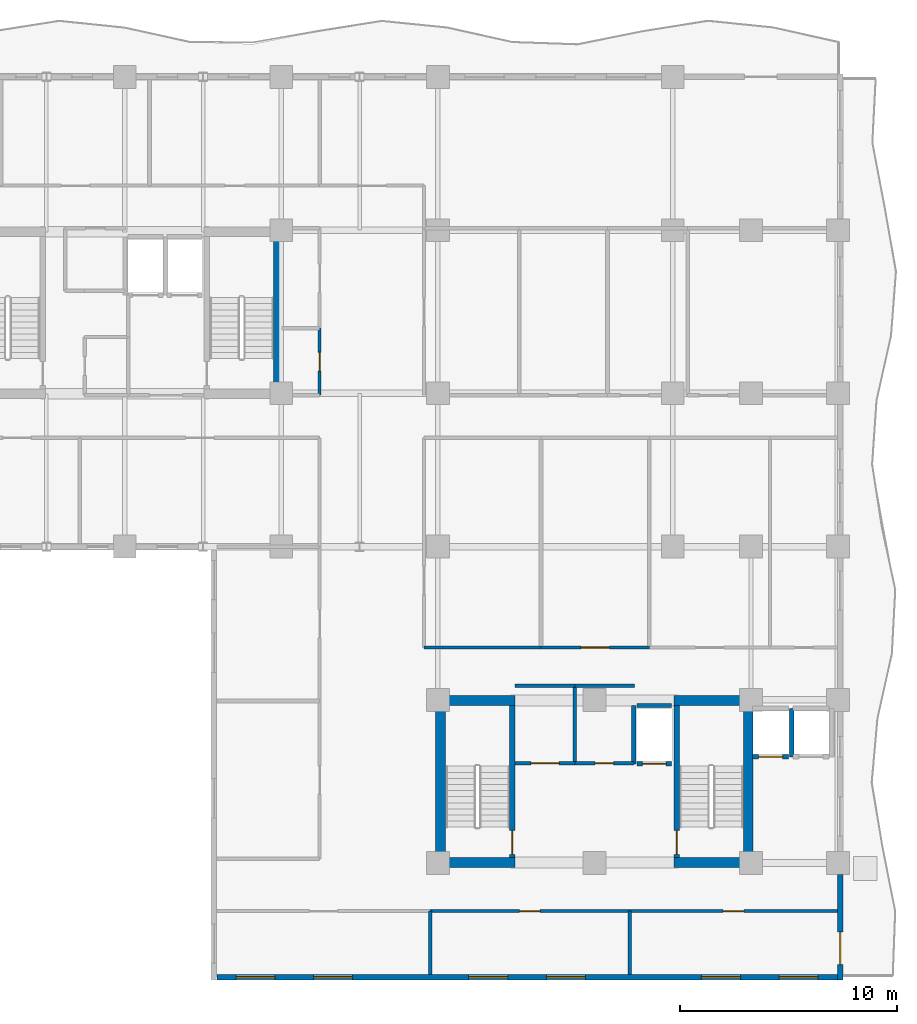
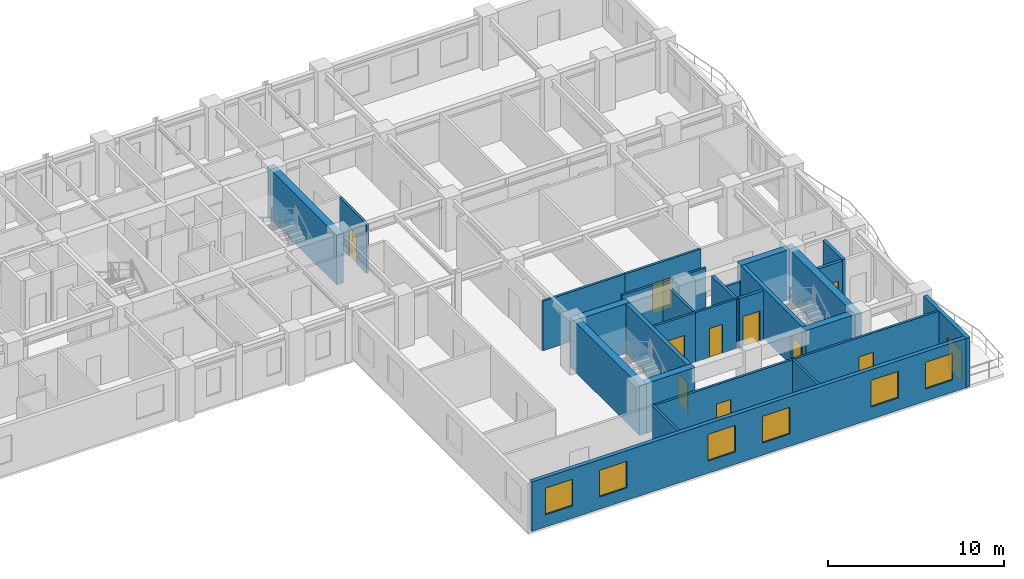
# One storey, part 12 of 20: 28 walls, 11 doors, 6 windows, 17 openings.
"""IFC4 building model written with IfcOpenShell, lengths in metres."""

from ifc_helpers import new_model, si_unit, direction, frame, frame_2d, origin, place, context, subcontext, project, spatial, rectangle, extrude, material, layer, layer_set, type_object, element, fill, save


model = new_model("IFC4")

# Units and contexts
model_context = context("Model", 3, precision=1e-05, world=origin(), true_north=direction((0.0, 1.0)))
body_context = subcontext(model_context, "Body", "Model", "MODEL_VIEW")
ifc_project = project(units=[si_unit("LENGTHUNIT", "METRE"), si_unit("AREAUNIT", "SQUARE_METRE"), si_unit("VOLUMEUNIT", "CUBIC_METRE"), si_unit("PLANEANGLEUNIT", "RADIAN"), si_unit("MASSUNIT", "GRAM", prefix="KILO")], contexts=[model_context])

# Site, building, storey
site_placement = place(None, origin())
site = spatial("IfcSite", under=ifc_project, at=site_placement, CompositionType="ELEMENT")
building_placement = place(site_placement, origin())
building = spatial("IfcBuilding", under=site, at=building_placement, Name="Kaliganga Portal Commons", CompositionType="ELEMENT")
storey_placement = place(building_placement, frame((0.0, 0.0, 155.0)))
storey = spatial("IfcBuildingStorey", under=building, at=storey_placement, Name="L39", CompositionType="ELEMENT", Elevation=155.0)

# Walls
ifc_material_1 = material(Name="Concrete C60/75", Category="concrete")
ifc_layer_1 = layer(ifc_material_1, 0.449951171875)
ifc_layer_set_1 = layer_set([ifc_layer_1], Name="Concrete C60/75")
wall_type_1 = type_object("IfcWallType", Name="WL-CORE-450", PredefinedType="SHEAR", material=ifc_layer_set_1)
wall_1_placement = place(storey_placement, frame((28.675048828125, 28.39990234375, 0.0), z_axis=(0.0, 0.0, 1.0), x_axis=(0.0, 1.0, 0.0)))
element("IfcWall", 1, at=wall_1_placement, inside=storey, type_object=wall_type_1, Name="Core A East Shear Wall L39", PredefinedType="SHEAR", context=body_context, shape_type="SweptSolid", body=[
    extrude(rectangle(XDim=7.900146484375, YDim=0.449951171875, at=frame_2d((3.9501953125, 0.0))), origin(), (0.0, 0.0, 1.0), 3.4599609375),
])
for number, where, z_axis, x_axis, name in (
    (2, (36.125, 6.85009765625, 0.0), (0.0, 0.0, 1.0), (0.0, 1.0, 0.0), "Core B West Shear Wall L39"),
    (3, (50.27490234375, 6.85009765625, 0.0), (0.0, 0.0, 1.0), (0.0, 1.0, 0.0), "Core B East Shear Wall L39"),
):
    element("IfcWall", number, at=place(storey_placement, frame(where, z_axis=z_axis, x_axis=x_axis)), inside=storey, type_object=wall_type_1, Name=name, PredefinedType="SHEAR", context=body_context, shape_type="SweptSolid", body=[
        extrude(rectangle(XDim=7.89990234375, YDim=0.449951171875, at=frame_2d((3.949951171875, 0.0))), origin(), (0.0, 0.0, 1.0), 3.4599609375),
    ])
for number, where, z_axis, x_axis, name in (
    (4, (36.35009765625, 7.074951171875, 0.0), (0.0, 0.0, 1.0), (1.0, 0.0, 0.0), "Core B S-West Shear Wall L39"),
    (5, (46.85009765625, 7.074951171875, 0.0), (0.0, 0.0, 1.0), (1.0, 0.0, 0.0), "Core B S-East Shear Wall L39"),
    (6, (36.35009765625, 14.52490234375, 0.0), (0.0, 0.0, 1.0), (1.0, 0.0, 0.0), "Core B N-West Shear Wall L39"),
    (7, (46.85009765625, 14.52490234375, 0.0), (0.0, 0.0, 1.0), (1.0, 0.0, 0.0), "Core B N-East Shear Wall L39"),
):
    element("IfcWall", number, at=place(storey_placement, frame(where, z_axis=z_axis, x_axis=x_axis)), inside=storey, type_object=wall_type_1, Name=name, PredefinedType="SHEAR", context=body_context, shape_type="SweptSolid", body=[
        extrude(rectangle(XDim=3.199951171875, YDim=0.449951171875, at=frame_2d((1.60009765625, 0.0))), origin(), (0.0, 0.0, 1.0), 3.4599609375),
    ])

# Wall, openings, windows
ifc_material_2 = material(Name="Insulated Aluminium-Clad Spandrel Assembly", Category="aluminium")
ifc_layer_2 = layer(ifc_material_2, 0.260009765625)
ifc_layer_set_2 = layer_set([ifc_layer_2], Name="Insulated Aluminium-Clad Spandrel Assembly")
wall_type_2 = type_object("IfcWallType", Name="WL-EXT-SPAND-260", PredefinedType="STANDARD", material=ifc_layer_set_2)
wall_2_placement = place(storey_placement, frame((54.364990234375, 1.800048828125, 0.0), z_axis=(0.0, 0.0, 1.0), x_axis=(-1.0, 0.0, 0.0)))
wall_2 = element("IfcWall", 8, at=wall_2_placement, inside=storey, type_object=wall_type_2, Name="Exterior Envelope Wall L39 P1-E00-S1", PredefinedType="STANDARD", context=body_context, shape_type="SweptSolid", body=[
    extrude(rectangle(XDim=28.530029296875, YDim=0.260009765625, at=frame_2d((14.26513671875, 0.0))), origin(), (0.0, 0.0, 1.0), 3.43994140625),
])
opening_1_placement = place(wall_2_placement, frame((0.883056640625, 0.0, 0.85009765625)))
opening_1 = element("IfcOpeningElement", 9, at=opening_1_placement, cuts=wall_2, Name="Opening W-01", PredefinedType="OPENING", context=body_context, shape_type="SweptSolid", body=[
    extrude(rectangle(XDim=1.800048828125, YDim=1.85009765625, at=frame_2d((0.89990234375, 0.925048828125))), frame((0.0, 0.14013671875, 0.0), z_axis=(0.0, -1.0, 0.0), x_axis=(1.0, 0.0, 0.0)), (0.0, 0.0, 1.0), 0.280029296875),
])
opening_2_placement = place(wall_2_placement, frame((4.449462890625, 0.0, 0.85009765625)))
opening_2 = element("IfcOpeningElement", 10, at=opening_2_placement, cuts=wall_2, Name="Opening W-01", PredefinedType="OPENING", context=body_context, shape_type="SweptSolid", body=[
    extrude(rectangle(XDim=1.800048828125, YDim=1.85009765625, at=frame_2d((0.89990234375, 0.925048828125))), frame((0.0, 0.14013671875, 0.0), z_axis=(0.0, -1.0, 0.0), x_axis=(1.0, 0.0, 0.0)), (0.0, 0.0, 1.0), 0.280029296875),
])
opening_3_placement = place(wall_2_placement, frame((11.581787109375, 0.0, 0.85009765625)))
opening_3 = element("IfcOpeningElement", 11, at=opening_3_placement, cuts=wall_2, Name="Opening W-01", PredefinedType="OPENING", context=body_context, shape_type="SweptSolid", body=[
    extrude(rectangle(XDim=1.800048828125, YDim=1.85009765625, at=frame_2d((0.89990234375, 0.925048828125))), frame((0.0, 0.14013671875, 0.0), z_axis=(0.0, -1.0, 0.0), x_axis=(1.0, 0.0, 0.0)), (0.0, 0.0, 1.0), 0.280029296875),
])
opening_4_placement = place(wall_2_placement, frame((15.148193359375, 0.0, 0.85009765625)))
opening_4 = element("IfcOpeningElement", 12, at=opening_4_placement, cuts=wall_2, Name="Opening W-01", PredefinedType="OPENING", context=body_context, shape_type="SweptSolid", body=[
    extrude(rectangle(XDim=1.800048828125, YDim=1.85009765625, at=frame_2d((0.89990234375, 0.925048828125))), frame((0.0, 0.14013671875, 0.0), z_axis=(0.0, -1.0, 0.0), x_axis=(1.0, 0.0, 0.0)), (0.0, 0.0, 1.0), 0.280029296875),
])
opening_5_placement = place(wall_2_placement, frame((22.280517578125, 0.0, 0.85009765625)))
opening_5 = element("IfcOpeningElement", 13, at=opening_5_placement, cuts=wall_2, Name="Opening W-01", PredefinedType="OPENING", context=body_context, shape_type="SweptSolid", body=[
    extrude(rectangle(XDim=1.800048828125, YDim=1.85009765625, at=frame_2d((0.89990234375, 0.925048828125))), frame((0.0, 0.14013671875, 0.0), z_axis=(0.0, -1.0, 0.0), x_axis=(1.0, 0.0, 0.0)), (0.0, 0.0, 1.0), 0.280029296875),
])
opening_6_placement = place(wall_2_placement, frame((25.846923828125, 0.0, 0.85009765625)))
opening_6 = element("IfcOpeningElement", 14, at=opening_6_placement, cuts=wall_2, Name="Opening W-01", PredefinedType="OPENING", context=body_context, shape_type="SweptSolid", body=[
    extrude(rectangle(XDim=1.800048828125, YDim=1.85009765625, at=frame_2d((0.89990234375, 0.925048828125))), frame((0.0, 0.14013671875, 0.0), z_axis=(0.0, -1.0, 0.0), x_axis=(1.0, 0.0, 0.0)), (0.0, 0.0, 1.0), 0.280029296875),
])
ifc_material_3 = material(Name="Thermally Broken Aluminium and Low-E Double Glazing", Category="aluminium")
window_type = type_object("IfcWindowType", Name="WIN-STD-1800", PartitioningType="DOUBLE_PANEL_VERTICAL", PredefinedType="WINDOW", material=ifc_material_3)
window_1_placement = place(opening_1_placement, origin())
window_1 = element("IfcWindow", 15, at=window_1_placement, inside=storey, type_object=window_type, Name="Facade Window L39-P1E00S1-00", OverallHeight=1.85009765625, OverallWidth=1.800048828125, PartitioningType="SINGLE_PANEL", PredefinedType="WINDOW", context=body_context, shape_type="SweptSolid", body=[
    extrude(rectangle(XDim=1.800048828125, YDim=1.85009765625, at=frame_2d((0.89990234375, 0.925048828125))), frame((0.0, 0.030029296875, 0.0), z_axis=(0.0, -1.0, 0.0), x_axis=(1.0, 0.0, 0.0)), (0.0, 0.0, 1.0), 0.06005859375),
])
fill(opening_1, window_1)
window_2_placement = place(opening_2_placement, origin())
window_2 = element("IfcWindow", 16, at=window_2_placement, inside=storey, type_object=window_type, Name="Facade Window L39-P1E00S1-01", OverallHeight=1.85009765625, OverallWidth=1.800048828125, PartitioningType="SINGLE_PANEL", PredefinedType="WINDOW", context=body_context, shape_type="SweptSolid", body=[
    extrude(rectangle(XDim=1.800048828125, YDim=1.85009765625, at=frame_2d((0.89990234375, 0.925048828125))), frame((0.0, 0.030029296875, 0.0), z_axis=(0.0, -1.0, 0.0), x_axis=(1.0, 0.0, 0.0)), (0.0, 0.0, 1.0), 0.06005859375),
])
fill(opening_2, window_2)
window_3_placement = place(opening_3_placement, origin())
window_3 = element("IfcWindow", 17, at=window_3_placement, inside=storey, type_object=window_type, Name="Facade Window L39-P1E00S1-03", OverallHeight=1.85009765625, OverallWidth=1.800048828125, PartitioningType="SINGLE_PANEL", PredefinedType="WINDOW", context=body_context, shape_type="SweptSolid", body=[
    extrude(rectangle(XDim=1.800048828125, YDim=1.85009765625, at=frame_2d((0.89990234375, 0.925048828125))), frame((0.0, 0.030029296875, 0.0), z_axis=(0.0, -1.0, 0.0), x_axis=(1.0, 0.0, 0.0)), (0.0, 0.0, 1.0), 0.06005859375),
])
fill(opening_3, window_3)
window_4_placement = place(opening_4_placement, origin())
window_4 = element("IfcWindow", 18, at=window_4_placement, inside=storey, type_object=window_type, Name="Facade Window L39-P1E00S1-04", OverallHeight=1.85009765625, OverallWidth=1.800048828125, PartitioningType="SINGLE_PANEL", PredefinedType="WINDOW", context=body_context, shape_type="SweptSolid", body=[
    extrude(rectangle(XDim=1.800048828125, YDim=1.85009765625, at=frame_2d((0.89990234375, 0.925048828125))), frame((0.0, 0.030029296875, 0.0), z_axis=(0.0, -1.0, 0.0), x_axis=(1.0, 0.0, 0.0)), (0.0, 0.0, 1.0), 0.06005859375),
])
fill(opening_4, window_4)
window_5_placement = place(opening_5_placement, origin())
window_5 = element("IfcWindow", 19, at=window_5_placement, inside=storey, type_object=window_type, Name="Facade Window L39-P1E00S1-06", OverallHeight=1.85009765625, OverallWidth=1.800048828125, PartitioningType="SINGLE_PANEL", PredefinedType="WINDOW", context=body_context, shape_type="SweptSolid", body=[
    extrude(rectangle(XDim=1.800048828125, YDim=1.85009765625, at=frame_2d((0.89990234375, 0.925048828125))), frame((0.0, 0.030029296875, 0.0), z_axis=(0.0, -1.0, 0.0), x_axis=(1.0, 0.0, 0.0)), (0.0, 0.0, 1.0), 0.06005859375),
])
fill(opening_5, window_5)
window_6_placement = place(opening_6_placement, origin())
window_6 = element("IfcWindow", 20, at=window_6_placement, inside=storey, type_object=window_type, Name="Facade Window L39-P1E00S1-07", OverallHeight=1.85009765625, OverallWidth=1.800048828125, PartitioningType="SINGLE_PANEL", PredefinedType="WINDOW", context=body_context, shape_type="SweptSolid", body=[
    extrude(rectangle(XDim=1.800048828125, YDim=1.85009765625, at=frame_2d((0.89990234375, 0.925048828125))), frame((0.0, 0.030029296875, 0.0), z_axis=(0.0, -1.0, 0.0), x_axis=(1.0, 0.0, 0.0)), (0.0, 0.0, 1.0), 0.06005859375),
])
fill(opening_6, window_6)

# Wall, opening, door
wall_3_placement = place(storey_placement, frame((54.5, 6.52392578125, 0.0), z_axis=(0.0, 0.0, 1.0), x_axis=(0.0, -1.0, 0.0)))
wall_3 = element("IfcWall", 21, at=wall_3_placement, inside=storey, type_object=wall_type_2, Name="Exterior Envelope Wall L39 P1-E01-S1", PredefinedType="STANDARD", context=body_context, shape_type="SweptSolid", body=[
    extrude(rectangle(XDim=4.85400390625, YDim=0.260009765625, at=frame_2d((2.427001953125, 0.0))), origin(), (0.0, 0.0, 1.0), 3.43994140625),
])
opening_7_placement = place(wall_3_placement, frame((2.64794921875, 0.0, 0.0)))
opening_7 = element("IfcOpeningElement", 22, at=opening_7_placement, cuts=wall_3, Name="Opening BD-01", PredefinedType="OPENING", context=body_context, shape_type="SweptSolid", body=[
    extrude(rectangle(XDim=1.5, YDim=2.14990234375, at=frame_2d((0.75, 1.074951171875))), frame((0.0, 0.14013671875, 0.0), z_axis=(0.0, -1.0, 0.0), x_axis=(1.0, 0.0, 0.0)), (0.0, 0.0, 1.0), 0.280029296875),
])
ifc_material_4 = material(Name="Anodized Aluminium and Laminated Safety Glass", Category="aluminium")
door_type_1 = type_object("IfcDoorType", Name="DR-BALC-1500", OperationType="SLIDING_TO_LEFT", PredefinedType="DOOR", material=ifc_material_4)
door_1_placement = place(opening_7_placement, origin())
door_1 = element("IfcDoor", 23, at=door_1_placement, inside=storey, type_object=door_type_1, Name="Balcony Sliding Door L39 balc_east", OperationType="SLIDING_TO_LEFT", OverallHeight=2.14990234375, OverallWidth=1.5, PredefinedType="DOOR", context=body_context, shape_type="SweptSolid", body=[
    extrude(rectangle(XDim=1.5, YDim=2.14990234375, at=frame_2d((0.75, 1.074951171875))), frame((0.0, 0.02490234375, 0.0), z_axis=(0.0, -1.0, 0.0), x_axis=(1.0, 0.0, 0.0)), (0.0, 0.0, 1.0), 0.050048828125),
])
fill(opening_7, door_1)

ifc_material_5 = material(Name="Fire-Rated Gypsum Board on Steel Stud", Category="steel")
ifc_layer_3 = layer(ifc_material_5, 0.14990234375)
ifc_layer_set_3 = layer_set([ifc_layer_3], Name="Fire-Rated Gypsum Board on Steel Stud")
wall_type_3 = type_object("IfcWallType", Name="WL-PART-CORR-150", PredefinedType="PARTITIONING", material=ifc_layer_set_3)
wall_4_placement = place(storey_placement, frame((44.820068359375, 4.840087890625, 0.0), z_axis=(0.0, 0.0, 1.0), x_axis=(1.0, 0.0, 0.0)))
wall_4 = element("IfcWall", 24, at=wall_4_placement, inside=storey, type_object=wall_type_3, Name="Interior Partition L39-014", PredefinedType="PARTITIONING", context=body_context, shape_type="SweptSolid", body=[
    extrude(rectangle(XDim=9.5478515625, YDim=0.14990234375, at=frame_2d((4.77392578125, 0.0))), origin(), (0.0, 0.0, 1.0), 3.43994140625),
])
opening_8_placement = place(wall_4_placement, frame((4.299072265625, 0.0, 0.0)))
opening_8 = element("IfcOpeningElement", 25, at=opening_8_placement, cuts=wall_4, Name="Opening UD-01", PredefinedType="OPENING", context=body_context, shape_type="SweptSolid", body=[
    extrude(rectangle(XDim=0.949951171875, YDim=2.10009765625, at=frame_2d((0.47509765625, 1.050048828125))), frame((0.0, 0.0849609375, 0.0), z_axis=(0.0, -1.0, 0.0), x_axis=(1.0, 0.0, 0.0)), (0.0, 0.0, 1.0), 0.169921875),
])
ifc_material_6 = material(Name="Solid-Core Timber Acoustic Fire Door", Category="wood")
door_type_2 = type_object("IfcDoorType", Name="DR-UNIT-950", OperationType="NOTDEFINED", PredefinedType="DOOR", material=ifc_material_6)
door_2_placement = place(opening_8_placement, origin())
door_2 = element("IfcDoor", 26, at=door_2_placement, inside=storey, type_object=door_type_2, Name="Interior Door L39-BS03", OperationType="SINGLE_SWING_RIGHT", OverallHeight=2.10009765625, OverallWidth=0.949951171875, PredefinedType="DOOR", context=body_context, shape_type="SweptSolid", body=[
    extrude(rectangle(XDim=0.949951171875, YDim=2.10009765625, at=frame_2d((0.47509765625, 1.050048828125))), frame((0.0, 0.02490234375, 0.0), z_axis=(0.0, -1.0, 0.0), x_axis=(1.0, 0.0, 0.0)), (0.0, 0.0, 1.0), 0.050048828125),
])
fill(opening_8, door_2)

wall_5_placement = place(storey_placement, frame((35.639892578125, 4.840087890625, 0.0), z_axis=(0.0, 0.0, 1.0), x_axis=(1.0, 0.0, 0.0)))
wall_5 = element("IfcWall", 27, at=wall_5_placement, inside=storey, type_object=wall_type_3, Name="Interior Partition L39-016", PredefinedType="PARTITIONING", context=body_context, shape_type="SweptSolid", body=[
    extrude(rectangle(XDim=9.18017578125, YDim=0.14990234375, at=frame_2d((4.590087890625, 0.0))), origin(), (0.0, 0.0, 1.0), 3.43994140625),
])
opening_9_placement = place(wall_5_placement, frame((4.114990234375, 0.0, 0.0)))
opening_9 = element("IfcOpeningElement", 28, at=opening_9_placement, cuts=wall_5, Name="Opening UD-01", PredefinedType="OPENING", context=body_context, shape_type="SweptSolid", body=[
    extrude(rectangle(XDim=0.949951171875, YDim=2.10009765625, at=frame_2d((0.47509765625, 1.050048828125))), frame((0.0, 0.0849609375, 0.0), z_axis=(0.0, -1.0, 0.0), x_axis=(1.0, 0.0, 0.0)), (0.0, 0.0, 1.0), 0.169921875),
])
door_3_placement = place(opening_9_placement, origin())
door_3 = element("IfcDoor", 29, at=door_3_placement, inside=storey, type_object=door_type_2, Name="Interior Door L39-BS02", OperationType="SINGLE_SWING_RIGHT", OverallHeight=2.10009765625, OverallWidth=0.949951171875, PredefinedType="DOOR", context=body_context, shape_type="SweptSolid", body=[
    extrude(rectangle(XDim=0.949951171875, YDim=2.10009765625, at=frame_2d((0.47509765625, 1.050048828125))), frame((0.0, 0.02490234375, 0.0), z_axis=(0.0, -1.0, 0.0), x_axis=(1.0, 0.0, 0.0)), (0.0, 0.0, 1.0), 0.050048828125),
])
fill(opening_9, door_3)

# Wall
wall_6_placement = place(storey_placement, frame((35.360107421875, 16.9599609375, 0.0), z_axis=(0.0, 0.0, 1.0), x_axis=(1.0, 0.0, 0.0)))
element("IfcWall", 30, at=wall_6_placement, inside=storey, type_object=wall_type_3, Name="Interior Partition L39-033", PredefinedType="PARTITIONING", context=body_context, shape_type="SweptSolid", body=[
    extrude(rectangle(XDim=5.3798828125, YDim=0.14990234375, at=frame_2d((2.68994140625, 0.0))), origin(), (0.0, 0.0, 1.0), 3.43994140625),
])

# Wall, opening, door
wall_7_placement = place(storey_placement, frame((40.739990234375, 16.9599609375, 0.0), z_axis=(0.0, 0.0, 1.0), x_axis=(1.0, 0.0, 0.0)))
wall_7 = element("IfcWall", 31, at=wall_7_placement, inside=storey, type_object=wall_type_3, Name="Interior Partition L39-036", PredefinedType="PARTITIONING", context=body_context, shape_type="SweptSolid", body=[
    extrude(rectangle(XDim=4.97998046875, YDim=0.14990234375, at=frame_2d((2.489990234375, 0.0))), origin(), (0.0, 0.0, 1.0), 3.43994140625),
])
opening_10_placement = place(wall_7_placement, frame((1.840087890625, 0.0, 0.0)))
opening_10 = element("IfcOpeningElement", 32, at=opening_10_placement, cuts=wall_7, Name="Opening RD-03", PredefinedType="OPENING", context=body_context, shape_type="SweptSolid", body=[
    extrude(rectangle(XDim=1.300048828125, YDim=2.1201171875, at=frame_2d((0.64990234375, 1.06005859375))), frame((0.0, 0.0849609375, 0.0), z_axis=(0.0, -1.0, 0.0), x_axis=(1.0, 0.0, 0.0)), (0.0, 0.0, 1.0), 0.169921875),
])
ifc_material_7 = material(Name="Glazed Timber Seminar Vision Door", Category="wood")
door_type_3 = type_object("IfcDoorType", Name="DR-STUDY-1300", OperationType="DOUBLE_DOOR_SINGLE_SWING", PredefinedType="DOOR", material=ifc_material_7)
door_4_placement = place(opening_10_placement, origin())
door_4 = element("IfcDoor", 33, at=door_4_placement, inside=storey, type_object=door_type_3, Name="Interior Door L39-BM02", OperationType="DOUBLE_DOOR_SINGLE_SWING", OverallHeight=2.1201171875, OverallWidth=1.300048828125, PredefinedType="DOOR", context=body_context, shape_type="SweptSolid", body=[
    extrude(rectangle(XDim=1.300048828125, YDim=2.1201171875, at=frame_2d((0.64990234375, 1.06005859375))), frame((0.0, 0.02490234375, 0.0), z_axis=(0.0, -1.0, 0.0), x_axis=(1.0, 0.0, 0.0)), (0.0, 0.0, 1.0), 0.050048828125),
])
fill(opening_10, door_4)

wall_8_placement = place(storey_placement, frame((30.56005859375, 28.56005859375, 0.0), z_axis=(0.0, 0.0, 1.0), x_axis=(0.0, 1.0, 0.0)))
wall_8 = element("IfcWall", 34, at=wall_8_placement, inside=storey, type_object=wall_type_3, Name="Interior Partition L39-051", PredefinedType="PARTITIONING", context=body_context, shape_type="SweptSolid", body=[
    extrude(rectangle(XDim=3.079833984375, YDim=0.14990234375, at=frame_2d((1.5400390625, 0.0))), origin(), (0.0, 0.0, 1.0), 3.43994140625),
])
opening_11_placement = place(wall_8_placement, frame((1.110107421875, 0.0, 0.0)))
opening_11 = element("IfcOpeningElement", 35, at=opening_11_placement, cuts=wall_8, Name="Opening WD-02", PredefinedType="OPENING", context=body_context, shape_type="SweptSolid", body=[
    extrude(rectangle(XDim=0.860107421875, YDim=2.02001953125, at=frame_2d((0.43017578125, 1.010009765625))), frame((0.0, 0.0849609375, 0.0), z_axis=(0.0, -1.0, 0.0), x_axis=(1.0, 0.0, 0.0)), (0.0, 0.0, 1.0), 0.169921875),
])
ifc_material_8 = material(Name="Fire-Rated Utility Closet Door", Category="wood")
door_type_4 = type_object("IfcDoorType", Name="DR-STORE-800", OperationType="NOTDEFINED", PredefinedType="DOOR", material=ifc_material_8)
door_5_placement = place(opening_11_placement, origin())
door_5 = element("IfcDoor", 36, at=door_5_placement, inside=storey, type_object=door_type_4, Name="Interior Door L39-CSRV_A1", OperationType="SINGLE_SWING_RIGHT", OverallHeight=2.02001953125, OverallWidth=0.860107421875, PredefinedType="DOOR", context=body_context, shape_type="SweptSolid", body=[
    extrude(rectangle(XDim=0.860107421875, YDim=2.02001953125, at=frame_2d((0.43017578125, 1.010009765625))), frame((0.0, 0.02490234375, 0.0), z_axis=(0.0, -1.0, 0.0), x_axis=(1.0, 0.0, 0.0)), (0.0, 0.0, 1.0), 0.050048828125),
])
fill(opening_11, door_5)

wall_9_placement = place(storey_placement, frame((39.5400390625, 11.639892578125, 0.0), z_axis=(0.0, 0.0, 1.0), x_axis=(1.0, 0.0, 0.0)))
wall_9 = element("IfcWall", 37, at=wall_9_placement, inside=storey, type_object=wall_type_3, Name="Interior Partition L39-054", PredefinedType="PARTITIONING", context=body_context, shape_type="SweptSolid", body=[
    extrude(rectangle(XDim=2.760009765625, YDim=0.14990234375, at=frame_2d((1.3798828125, 0.0))), origin(), (0.0, 0.0, 1.0), 3.43994140625),
])
opening_12_placement = place(wall_9_placement, frame((0.72998046875, 0.0, 0.0)))
opening_12 = element("IfcOpeningElement", 38, at=opening_12_placement, cuts=wall_9, Name="Opening RD-03", PredefinedType="OPENING", context=body_context, shape_type="SweptSolid", body=[
    extrude(rectangle(XDim=1.300048828125, YDim=2.1201171875, at=frame_2d((0.64990234375, 1.06005859375))), frame((0.0, 0.0849609375, 0.0), z_axis=(0.0, -1.0, 0.0), x_axis=(1.0, 0.0, 0.0)), (0.0, 0.0, 1.0), 0.169921875),
])
door_6_placement = place(opening_12_placement, origin())
door_6 = element("IfcDoor", 39, at=door_6_placement, inside=storey, type_object=door_type_3, Name="Interior Door L39-CREC_B1", OperationType="DOUBLE_DOOR_SINGLE_SWING", OverallHeight=2.1201171875, OverallWidth=1.300048828125, PredefinedType="DOOR", context=body_context, shape_type="SweptSolid", body=[
    extrude(rectangle(XDim=1.300048828125, YDim=2.1201171875, at=frame_2d((0.64990234375, 1.06005859375))), frame((0.0, 0.02490234375, 0.0), z_axis=(0.0, -1.0, 0.0), x_axis=(1.0, 0.0, 0.0)), (0.0, 0.0, 1.0), 0.050048828125),
])
fill(opening_12, door_6)

# Wall
wall_10_placement = place(storey_placement, frame((39.5400390625, 15.199951171875, 0.0), z_axis=(0.0, 0.0, 1.0), x_axis=(1.0, 0.0, 0.0)))
element("IfcWall", 40, at=wall_10_placement, inside=storey, type_object=wall_type_3, Name="Interior Partition L39-055", PredefinedType="PARTITIONING", context=body_context, shape_type="SweptSolid", body=[
    extrude(rectangle(XDim=2.760009765625, YDim=0.14990234375, at=frame_2d((1.3798828125, 0.0))), origin(), (0.0, 0.0, 1.0), 3.43994140625),
])

# Wall, opening, door
wall_11_placement = place(storey_placement, frame((42.300048828125, 11.639892578125, 0.0), z_axis=(0.0, 0.0, 1.0), x_axis=(1.0, 0.0, 0.0)))
wall_11 = element("IfcWall", 41, at=wall_11_placement, inside=storey, type_object=wall_type_3, Name="Interior Partition L39-056", PredefinedType="PARTITIONING", context=body_context, shape_type="SweptSolid", body=[
    extrude(rectangle(XDim=2.7099609375, YDim=0.14990234375, at=frame_2d((1.35498046875, 0.0))), origin(), (0.0, 0.0, 1.0), 3.43994140625),
])
opening_13_placement = place(wall_11_placement, frame((0.925048828125, 0.0, 0.0)))
opening_13 = element("IfcOpeningElement", 42, at=opening_13_placement, cuts=wall_11, Name="Opening WD-02", PredefinedType="OPENING", context=body_context, shape_type="SweptSolid", body=[
    extrude(rectangle(XDim=0.860107421875, YDim=2.02001953125, at=frame_2d((0.43017578125, 1.010009765625))), frame((0.0, 0.0849609375, 0.0), z_axis=(0.0, -1.0, 0.0), x_axis=(1.0, 0.0, 0.0)), (0.0, 0.0, 1.0), 0.169921875),
])
door_7_placement = place(opening_13_placement, origin())
door_7 = element("IfcDoor", 43, at=door_7_placement, inside=storey, type_object=door_type_4, Name="Interior Door L39-CREC_B2", OperationType="SINGLE_SWING_LEFT", OverallHeight=2.02001953125, OverallWidth=0.860107421875, PredefinedType="DOOR", context=body_context, shape_type="SweptSolid", body=[
    extrude(rectangle(XDim=0.860107421875, YDim=2.02001953125, at=frame_2d((0.43017578125, 1.010009765625))), frame((0.0, 0.02490234375, 0.0), z_axis=(0.0, -1.0, 0.0), x_axis=(1.0, 0.0, 0.0)), (0.0, 0.0, 1.0), 0.050048828125),
])
fill(opening_13, door_7)

# Walls
wall_12_placement = place(storey_placement, frame((42.300048828125, 15.199951171875, 0.0), z_axis=(0.0, 0.0, 1.0), x_axis=(1.0, 0.0, 0.0)))
element("IfcWall", 44, at=wall_12_placement, inside=storey, type_object=wall_type_3, Name="Interior Partition L39-057", PredefinedType="PARTITIONING", context=body_context, shape_type="SweptSolid", body=[
    extrude(rectangle(XDim=2.739990234375, YDim=0.14990234375, at=frame_2d((1.3701171875, 0.0))), origin(), (0.0, 0.0, 1.0), 3.43994140625),
])
ifc_material_9 = material(Name="Twin-Stud Acoustic Gypsum Partition", Category="gypsum")
ifc_layer_4 = layer(ifc_material_9, 0.1650390625)
ifc_layer_set_4 = layer_set([ifc_layer_4], Name="Twin-Stud Acoustic Gypsum Partition")
wall_type_4 = type_object("IfcWallType", Name="WL-PART-UNIT-165", PredefinedType="PARTITIONING", material=ifc_layer_set_4)
wall_13_placement = place(storey_placement, frame((42.300048828125, 11.639892578125, 0.0), z_axis=(0.0, 0.0, 1.0), x_axis=(0.0, 1.0, 0.0)))
element("IfcWall", 45, at=wall_13_placement, inside=storey, type_object=wall_type_4, Name="Interior Partition L39-087", PredefinedType="PARTITIONING", context=body_context, shape_type="SweptSolid", body=[
    extrude(rectangle(XDim=3.56005859375, YDim=0.1650390625, at=frame_2d((1.780029296875, 0.0))), origin(), (0.0, 0.0, 1.0), 3.43994140625),
])
for number, where, z_axis, x_axis, name in (
    (46, (35.639892578125, 1.931884765625, 0.0), (0.0, 0.0, 1.0), (0.0, 1.0, 0.0), "Interior Partition L39-092"),
    (47, (44.820068359375, 1.931884765625, 0.0), (0.0, 0.0, 1.0), (0.0, 1.0, 0.0), "Interior Partition L39-093"),
):
    element("IfcWall", number, at=place(storey_placement, frame(where, z_axis=z_axis, x_axis=x_axis)), inside=storey, type_object=wall_type_4, Name=name, PredefinedType="PARTITIONING", context=body_context, shape_type="SweptSolid", body=[
        extrude(rectangle(XDim=2.908203125, YDim=0.1650390625, at=frame_2d((1.4541015625, 0.0))), origin(), (0.0, 0.0, 1.0), 3.43994140625),
    ])

# Wall, opening, door
ifc_material_10 = material(Name="Fire-Rated Shaftwall Masonry Assembly", Category="masonry")
ifc_layer_5 = layer(ifc_material_10, 0.199951171875)
ifc_layer_set_5 = layer_set([ifc_layer_5], Name="Fire-Rated Shaftwall Masonry Assembly")
wall_type_5 = type_object("IfcWallType", Name="WL-SHAFT-200", PredefinedType="PARTITIONING", material=ifc_layer_set_5)
wall_14_placement = place(storey_placement, frame((50.47509765625, 11.93505859375, 0.0), z_axis=(0.0, 0.0, 1.0), x_axis=(1.0, 0.0, 0.0)))
wall_14 = element("IfcWall", 48, at=wall_14_placement, inside=storey, type_object=wall_type_5, Name="Lift PL-B3 Hoistway Shaft Wall L39-S", PredefinedType="PARTITIONING", context=body_context, shape_type="SweptSolid", body=[
    extrude(rectangle(XDim=1.64990234375, YDim=0.199951171875, at=frame_2d((0.824951171875, 0.0))), origin(), (0.0, 0.0, 1.0), 3.43994140625),
])
opening_14_placement = place(wall_14_placement, frame((0.27490234375, 0.0, 0.0)))
opening_14 = element("IfcOpeningElement", 49, at=opening_14_placement, cuts=wall_14, Name="Opening LD-01", PredefinedType="OPENING", context=body_context, shape_type="SweptSolid", body=[
    extrude(rectangle(XDim=1.10009765625, YDim=2.1201171875, at=frame_2d((0.550048828125, 1.06005859375))), frame((0.0, 0.10986328125, 0.0), z_axis=(0.0, -1.0, 0.0), x_axis=(1.0, 0.0, 0.0)), (0.0, 0.0, 1.0), 0.219970703125),
])
ifc_material_11 = material(Name="Brushed Stainless Steel 316 Lift Landing Door", Category="steel")
door_type_5 = type_object("IfcDoorType", Name="DR-LIFT-1100", OperationType="SLIDING_TO_LEFT", PredefinedType="DOOR", material=ifc_material_11)
door_8_placement = place(opening_14_placement, origin())
door_8 = element("IfcDoor", 50, at=door_8_placement, inside=storey, type_object=door_type_5, Name="Lift PL-B3 Sliding Landing Door L39", OperationType="SLIDING_TO_LEFT", OverallHeight=2.1201171875, OverallWidth=1.10009765625, PredefinedType="DOOR", context=body_context, shape_type="SweptSolid", body=[
    extrude(rectangle(XDim=1.10009765625, YDim=2.1201171875, at=frame_2d((0.550048828125, 1.06005859375))), frame((0.0, 0.02490234375, 0.0), z_axis=(0.0, -1.0, 0.0), x_axis=(1.0, 0.0, 0.0)), (0.0, 0.0, 1.0), 0.050048828125),
])
fill(opening_14, door_8)

# Wall
wall_15_placement = place(storey_placement, frame((52.264892578125, 11.93505859375, 0.0), z_axis=(0.0, 0.0, 1.0), x_axis=(0.0, 1.0, 0.0)))
element("IfcWall", 51, at=wall_15_placement, inside=storey, type_object=wall_type_5, Name="Lift PL-B3 Hoistway Shaft Wall L39-E", PredefinedType="PARTITIONING", context=body_context, shape_type="SweptSolid", body=[
    extrude(rectangle(XDim=2.22998046875, YDim=0.199951171875, at=frame_2d((1.114990234375, 0.0))), origin(), (0.0, 0.0, 1.0), 3.43994140625),
])

# Wall, opening, door
wall_16_placement = place(storey_placement, frame((45.14990234375, 11.610107421875, 0.0), z_axis=(0.0, 0.0, 1.0), x_axis=(1.0, 0.0, 0.0)))
wall_16 = element("IfcWall", 52, at=wall_16_placement, inside=storey, type_object=wall_type_5, Name="Lift SL-B1 Hoistway Shaft Wall L39-S", PredefinedType="PARTITIONING", context=body_context, shape_type="SweptSolid", body=[
    extrude(rectangle(XDim=1.60009765625, YDim=0.199951171875, at=frame_2d((0.800048828125, 0.0))), origin(), (0.0, 0.0, 1.0), 3.43994140625),
])
opening_15_placement = place(wall_16_placement, frame((0.25, 0.0, 0.0)))
opening_15 = element("IfcOpeningElement", 53, at=opening_15_placement, cuts=wall_16, Name="Opening LD-01", PredefinedType="OPENING", context=body_context, shape_type="SweptSolid", body=[
    extrude(rectangle(XDim=1.10009765625, YDim=2.1201171875, at=frame_2d((0.550048828125, 1.06005859375))), frame((0.0, 0.10986328125, 0.0), z_axis=(0.0, -1.0, 0.0), x_axis=(1.0, 0.0, 0.0)), (0.0, 0.0, 1.0), 0.219970703125),
])
door_9_placement = place(opening_15_placement, origin())
door_9 = element("IfcDoor", 54, at=door_9_placement, inside=storey, type_object=door_type_5, Name="Lift SL-B1 Sliding Landing Door L39", OperationType="SLIDING_TO_LEFT", OverallHeight=2.1201171875, OverallWidth=1.10009765625, PredefinedType="DOOR", context=body_context, shape_type="SweptSolid", body=[
    extrude(rectangle(XDim=1.10009765625, YDim=2.1201171875, at=frame_2d((0.550048828125, 1.06005859375))), frame((0.0, 0.02490234375, 0.0), z_axis=(0.0, -1.0, 0.0), x_axis=(1.0, 0.0, 0.0)), (0.0, 0.0, 1.0), 0.050048828125),
])
fill(opening_15, door_9)

# Walls
wall_17_placement = place(storey_placement, frame((45.14990234375, 14.2900390625, 0.0), z_axis=(0.0, 0.0, 1.0), x_axis=(1.0, 0.0, 0.0)))
element("IfcWall", 55, at=wall_17_placement, inside=storey, type_object=wall_type_5, Name="Lift SL-B1 Hoistway Shaft Wall L39-N", PredefinedType="PARTITIONING", context=body_context, shape_type="SweptSolid", body=[
    extrude(rectangle(XDim=1.60009765625, YDim=0.199951171875, at=frame_2d((0.800048828125, 0.0))), origin(), (0.0, 0.0, 1.0), 2.43994140625),
])
wall_18_placement = place(storey_placement, frame((45.010009765625, 11.610107421875, 0.0), z_axis=(0.0, 0.0, 1.0), x_axis=(0.0, 1.0, 0.0)))
element("IfcWall", 56, at=wall_18_placement, inside=storey, type_object=wall_type_5, Name="Lift SL-B1 Hoistway Shaft Wall L39-W", PredefinedType="PARTITIONING", context=body_context, shape_type="SweptSolid", body=[
    extrude(rectangle(XDim=2.679931640625, YDim=0.199951171875, at=frame_2d((1.33984375, 0.0))), origin(), (0.0, 0.0, 1.0), 3.43994140625),
])

# Wall, opening, door
ifc_material_12 = material(Name="Concrete C50/60", Category="concrete")
ifc_layer_6 = layer(ifc_material_12, 0.25)
ifc_layer_set_6 = layer_set([ifc_layer_6], Name="Concrete C50/60")
wall_type_6 = type_object("IfcWallType", Name="WL-STAIR-250", PredefinedType="SHEAR", material=ifc_layer_set_6)
wall_19_placement = place(storey_placement, frame((39.425048828125, 7.300048828125, 0.0), z_axis=(0.0, 0.0, 1.0), x_axis=(0.0, 1.0, 0.0)))
wall_19 = element("IfcWall", 57, at=wall_19_placement, inside=storey, type_object=wall_type_6, Name="Stair B1 Enclosure Shear Wall L39", PredefinedType="SHEAR", context=body_context, shape_type="SweptSolid", body=[
    extrude(rectangle(XDim=7.0, YDim=0.25, at=frame_2d((3.5, 0.0))), origin(), (0.0, 0.0, 1.0), 3.4599609375),
])
opening_16_placement = place(wall_19_placement, frame((0.14990234375, 0.0, 0.0)))
opening_16 = element("IfcOpeningElement", 58, at=opening_16_placement, cuts=wall_19, Name="Opening SD-01", PredefinedType="OPENING", context=body_context, shape_type="SweptSolid", body=[
    extrude(rectangle(XDim=1.10009765625, YDim=2.080078125, at=frame_2d((0.550048828125, 1.0400390625))), frame((0.0, 0.135009765625, 0.0), z_axis=(0.0, -1.0, 0.0), x_axis=(1.0, 0.0, 0.0)), (0.0, 0.0, 1.0), 0.27001953125),
])
ifc_material_13 = material(Name="Galvanized Steel Fire Door Leaf and Frame", Category="steel")
door_type_6 = type_object("IfcDoorType", Name="DR-STAIR-1100", OperationType="NOTDEFINED", PredefinedType="DOOR", material=ifc_material_13)
door_10_placement = place(opening_16_placement, origin())
door_10 = element("IfcDoor", 59, at=door_10_placement, inside=storey, type_object=door_type_6, Name="Protected Stair ST-B1 Fire Door L39", OperationType="SINGLE_SWING_LEFT", OverallHeight=2.080078125, OverallWidth=1.10009765625, PredefinedType="DOOR", context=body_context, shape_type="SweptSolid", body=[
    extrude(rectangle(XDim=1.10009765625, YDim=2.080078125, at=frame_2d((0.550048828125, 1.0400390625))), frame((0.0, 0.02490234375, 0.0), z_axis=(0.0, -1.0, 0.0), x_axis=(1.0, 0.0, 0.0)), (0.0, 0.0, 1.0), 0.050048828125),
])
fill(opening_16, door_10)

wall_20_placement = place(storey_placement, frame((46.97509765625, 7.300048828125, 0.0), z_axis=(0.0, 0.0, 1.0), x_axis=(0.0, 1.0, 0.0)))
wall_20 = element("IfcWall", 60, at=wall_20_placement, inside=storey, type_object=wall_type_6, Name="Stair B2 Enclosure Shear Wall L39", PredefinedType="SHEAR", context=body_context, shape_type="SweptSolid", body=[
    extrude(rectangle(XDim=7.0, YDim=0.25, at=frame_2d((3.5, 0.0))), origin(), (0.0, 0.0, 1.0), 3.4599609375),
])
opening_17_placement = place(wall_20_placement, frame((0.14990234375, 0.0, 0.0)))
opening_17 = element("IfcOpeningElement", 61, at=opening_17_placement, cuts=wall_20, Name="Opening SD-01", PredefinedType="OPENING", context=body_context, shape_type="SweptSolid", body=[
    extrude(rectangle(XDim=1.10009765625, YDim=2.080078125, at=frame_2d((0.550048828125, 1.0400390625))), frame((0.0, 0.135009765625, 0.0), z_axis=(0.0, -1.0, 0.0), x_axis=(1.0, 0.0, 0.0)), (0.0, 0.0, 1.0), 0.27001953125),
])
door_11_placement = place(opening_17_placement, origin())
door_11 = element("IfcDoor", 62, at=door_11_placement, inside=storey, type_object=door_type_6, Name="Protected Stair ST-B2 Fire Door L39", OperationType="SINGLE_SWING_RIGHT", OverallHeight=2.080078125, OverallWidth=1.10009765625, PredefinedType="DOOR", context=body_context, shape_type="SweptSolid", body=[
    extrude(rectangle(XDim=1.10009765625, YDim=2.080078125, at=frame_2d((0.550048828125, 1.0400390625))), frame((0.0, 0.02490234375, 0.0), z_axis=(0.0, -1.0, 0.0), x_axis=(1.0, 0.0, 0.0)), (0.0, 0.0, 1.0), 0.050048828125),
])
fill(opening_17, door_11)

save(model, "model.ifc")
